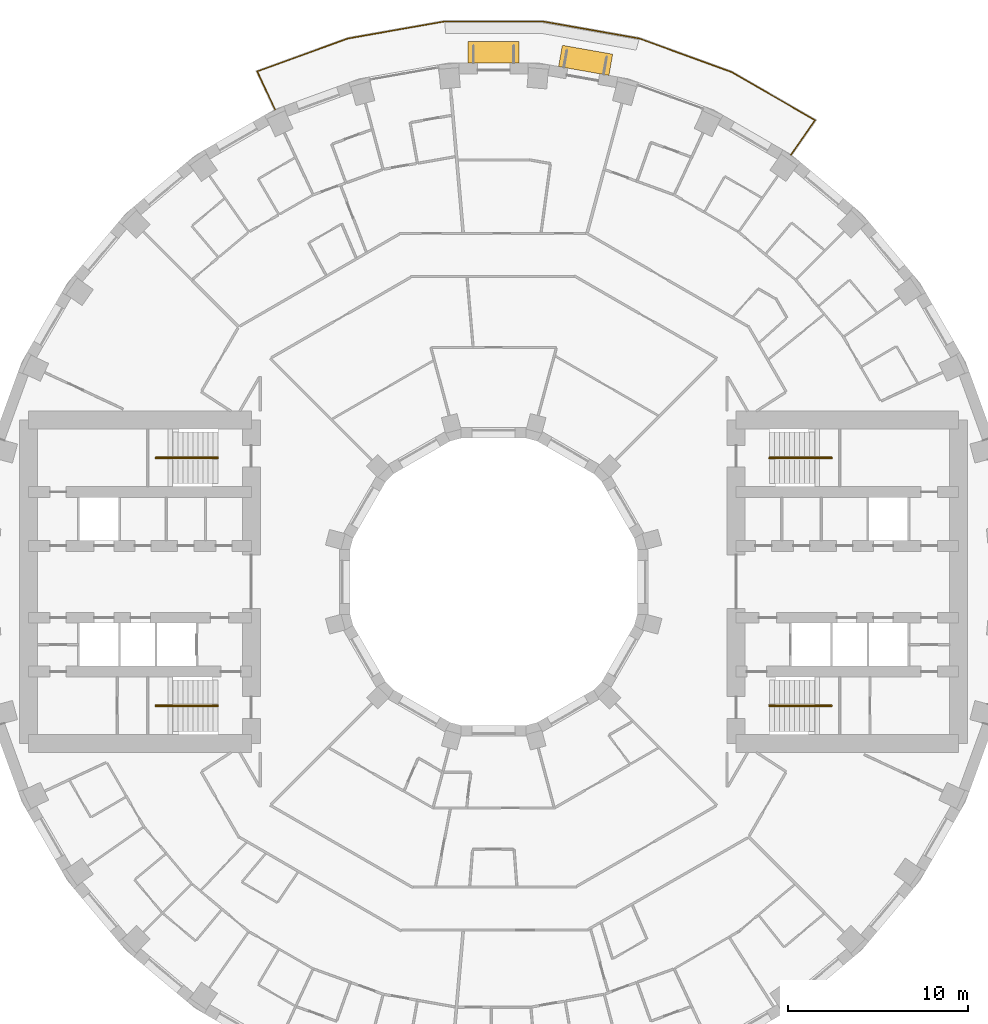
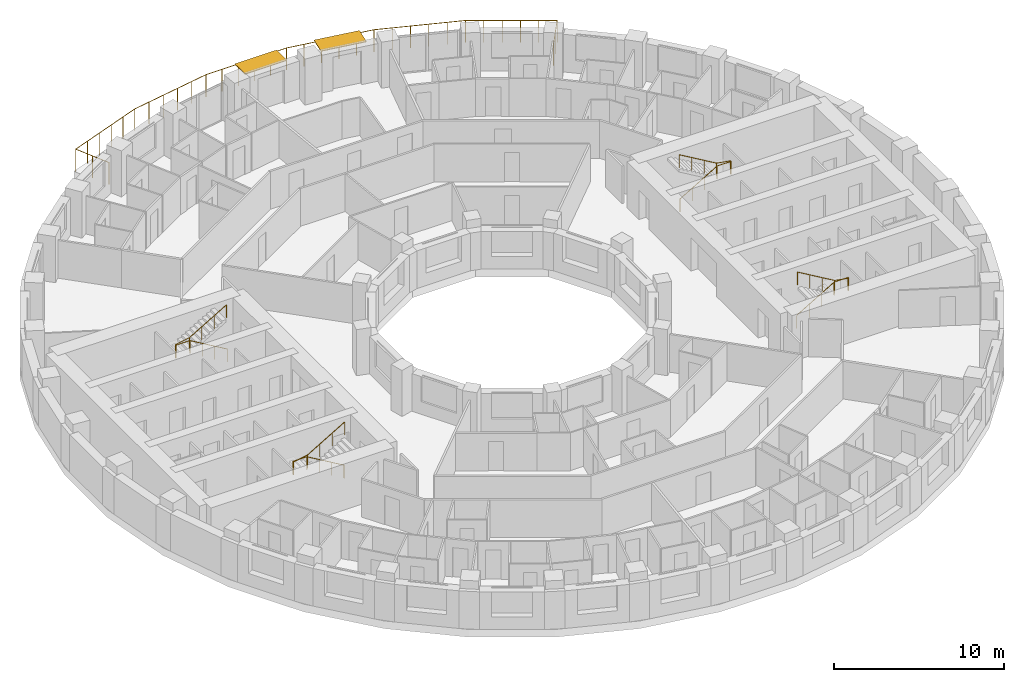
# One storey, part 15 of 15: 5 railings, 2 shading devices.
"""IFC4 building model written with IfcOpenShell, lengths in metres."""

from ifc_helpers import new_model, si_unit, direction, frame, origin, origin_2d, place, context, subcontext, project, spatial, rectangle, circle, extrude, material, layer, layer_set, type_object, element, save


model = new_model("IFC4")

# Units and contexts
model_context = context("Model", 3, precision=1e-05, world=origin(), true_north=direction((0.0, 1.0)))
body_context = subcontext(model_context, "Body", "Model", "MODEL_VIEW")
ifc_project = project(units=[si_unit("LENGTHUNIT", "METRE"), si_unit("AREAUNIT", "SQUARE_METRE"), si_unit("VOLUMEUNIT", "CUBIC_METRE"), si_unit("PLANEANGLEUNIT", "RADIAN"), si_unit("MASSUNIT", "GRAM", prefix="KILO")], contexts=[model_context])

# Site, building, storey
site_placement = place(None, origin())
site = spatial("IfcSite", under=ifc_project, at=site_placement, CompositionType="ELEMENT")
building_placement = place(site_placement, origin())
building = spatial("IfcBuilding", under=site, at=building_placement, Name="Saqina Gate Tower", CompositionType="ELEMENT")
storey_placement = place(building_placement, frame((0.0, 0.0, 79.10009765625)))
storey = spatial("IfcBuildingStorey", under=building, at=storey_placement, Name="L22", CompositionType="ELEMENT", Elevation=79.10009765625)

# Shading devices
ifc_material_1 = material(Name="Aluminium and fabric awning", Category="aluminium")
ifc_layer = layer(ifc_material_1, 0.050048828125)
ifc_layer_set = layer_set([ifc_layer], Name="AW-TERRACE")
shading_device_type = type_object("IfcShadingDeviceType", Name="AW-TERRACE", PredefinedType="AWNING", material=ifc_layer_set)
for number, where, z_axis, x_axis, name in (
    (1, (5.120849609375, 29.04150390625, 2.52490234375), (0.0, 0.0, 1.0), (-0.984807753012, 0.173648177667, 0.0), "Terrace awning L22 facet 8"),
    (2, (0.0, 29.489501953125, 2.52490234375), (0.0, 0.0, 1.0), (-1.0, 0.0, 0.0), "Terrace awning L22 facet 9"),
):
    element("IfcShadingDevice", number, at=place(storey_placement, frame(where, z_axis=z_axis, x_axis=x_axis)), inside=storey, type_object=shading_device_type, Name=name, PredefinedType="AWNING", context=body_context, shape_type="SweptSolid", body=[
        extrude(rectangle(XDim=2.845703125, YDim=1.199951171875, at=origin_2d()), origin(), (0.0, 0.0, 1.0), 0.050048828125),
    ])

# Railings
ifc_material_2 = material(Name="Stainless steel", Category="steel")
railing_type_1 = type_object("IfcRailingType", Name="RL-TERRACE", PredefinedType="GUARDRAIL", material=ifc_material_2)
railing_1_placement = place(storey_placement, frame((16.53369140625, 23.752197265625, 0.0)))
element("IfcRailing", 3, at=railing_1_placement, inside=storey, type_object=railing_type_1, Name="Terrace guard L22", PredefinedType="GUARDRAIL", context=body_context, shape_type="SweptSolid", body=[
    extrude(circle(Radius=0.02392578125, at=origin_2d()), frame((0.0, 0.0, 1.576171875), z_axis=(0.573633803889, 0.819111872113, 0.0), x_axis=(-0.819111872113, 0.573633803889, 0.0)), (0.0, 0.0, 1.0), 2.388916015625),
    extrude(circle(Radius=0.02392578125, at=origin_2d()), frame((1.370361328125, 1.956787109375, 1.576171875), z_axis=(-0.866686651493, 0.49885293236, 0.0), x_axis=(-0.49885293236, -0.866686651493, 0.0)), (0.0, 0.0, 1.0), 5.381591796875),
    extrude(circle(Radius=0.02392578125, at=origin_2d()), frame((-3.293701171875, 4.641357421875, 1.576171875), z_axis=(-0.939682423935, 0.342048157644, 0.0), x_axis=(-0.342048157644, -0.939682423935, 0.0)), (0.0, 0.0, 1.0), 5.4609375),
    extrude(circle(Radius=0.02392578125, at=origin_2d()), frame((-8.42529296875, 6.50927734375, 1.576171875), z_axis=(-0.984808752483, 0.17364250929, 0.0), x_axis=(-0.17364250929, -0.984808752483, 0.0)), (0.0, 0.0, 1.0), 5.4609375),
    extrude(circle(Radius=0.02392578125, at=origin_2d()), frame((-13.80322265625, 7.45751953125, 1.576171875), z_axis=(-1.0, 0.0, 0.0), x_axis=(0.0, -1.0, 0.0)), (0.0, 0.0, 1.0), 5.4609375),
    extrude(circle(Radius=0.02392578125, at=origin_2d()), frame((-19.26416015625, 7.45751953125, 1.576171875), z_axis=(-0.984808752483, -0.17364250929, 0.0), x_axis=(0.17364250929, -0.984808752483, 0.0)), (0.0, 0.0, 1.0), 5.4609375),
    extrude(circle(Radius=0.02392578125, at=origin_2d()), frame((-24.64208984375, 6.50927734375, 1.576171875), z_axis=(-0.940132067682, -0.340810350952, 0.0), x_axis=(0.340810350952, -0.940132067682, 0.0)), (0.0, 0.0, 1.0), 5.38134765625),
    extrude(circle(Radius=0.02392578125, at=origin_2d()), frame((-29.701171875, 4.67529296875, 1.576171875), z_axis=(0.422516148785, -0.906355396087, 0.0), x_axis=(0.906355396087, 0.422516148785, 0.0)), (0.0, 0.0, 1.0), 2.388671875),
    extrude(circle(Radius=0.02099609375, at=origin_2d()), origin(), (0.0, 0.0, 1.0), 1.552001953125),
    extrude(circle(Radius=0.02099609375, at=origin_2d()), frame((0.68505859375, 0.978515625, 0.0)), (0.0, 0.0, 1.0), 1.552001953125),
    extrude(circle(Radius=0.02099609375, at=origin_2d()), frame((1.370361328125, 1.956787109375, 0.0)), (0.0, 0.0, 1.0), 1.552001953125),
    extrude(circle(Radius=0.02099609375, at=origin_2d()), frame((0.4375, 2.49365234375, 0.0)), (0.0, 0.0, 1.0), 1.552001953125),
    extrude(circle(Radius=0.02099609375, at=origin_2d()), frame((-0.495361328125, 3.030517578125, 0.0)), (0.0, 0.0, 1.0), 1.552001953125),
    extrude(circle(Radius=0.02099609375, at=origin_2d()), frame((-1.427978515625, 3.567626953125, 0.0)), (0.0, 0.0, 1.0), 1.552001953125),
    extrude(circle(Radius=0.02099609375, at=origin_2d()), frame((-2.36083984375, 4.1044921875, 0.0)), (0.0, 0.0, 1.0), 1.552001953125),
    extrude(circle(Radius=0.02099609375, at=origin_2d()), frame((-3.293701171875, 4.641357421875, 0.0)), (0.0, 0.0, 1.0), 1.552001953125),
    extrude(circle(Radius=0.02099609375, at=origin_2d()), frame((-4.320068359375, 5.014892578125, 0.0)), (0.0, 0.0, 1.0), 1.552001953125),
    extrude(circle(Radius=0.02099609375, at=origin_2d()), frame((-5.346435546875, 5.388427734375, 0.0)), (0.0, 0.0, 1.0), 1.552001953125),
    extrude(circle(Radius=0.02099609375, at=origin_2d()), frame((-6.37255859375, 5.76220703125, 0.0)), (0.0, 0.0, 1.0), 1.552001953125),
    extrude(circle(Radius=0.02099609375, at=origin_2d()), frame((-7.39892578125, 6.1357421875, 0.0)), (0.0, 0.0, 1.0), 1.552001953125),
    extrude(circle(Radius=0.02099609375, at=origin_2d()), frame((-8.42529296875, 6.50927734375, 0.0)), (0.0, 0.0, 1.0), 1.552001953125),
    extrude(circle(Radius=0.02099609375, at=origin_2d()), frame((-9.5009765625, 6.698974609375, 0.0)), (0.0, 0.0, 1.0), 1.552001953125),
    extrude(circle(Radius=0.02099609375, at=origin_2d()), frame((-10.576416015625, 6.888671875, 0.0)), (0.0, 0.0, 1.0), 1.552001953125),
    extrude(circle(Radius=0.02099609375, at=origin_2d()), frame((-11.652099609375, 7.078125, 0.0)), (0.0, 0.0, 1.0), 1.552001953125),
    extrude(circle(Radius=0.02099609375, at=origin_2d()), frame((-12.7275390625, 7.267822265625, 0.0)), (0.0, 0.0, 1.0), 1.552001953125),
    extrude(circle(Radius=0.02099609375, at=origin_2d()), frame((-13.80322265625, 7.45751953125, 0.0)), (0.0, 0.0, 1.0), 1.552001953125),
    extrude(circle(Radius=0.02099609375, at=origin_2d()), frame((-14.8955078125, 7.45751953125, 0.0)), (0.0, 0.0, 1.0), 1.552001953125),
    extrude(circle(Radius=0.02099609375, at=origin_2d()), frame((-15.987548828125, 7.45751953125, 0.0)), (0.0, 0.0, 1.0), 1.552001953125),
    extrude(circle(Radius=0.02099609375, at=origin_2d()), frame((-17.079833984375, 7.45751953125, 0.0)), (0.0, 0.0, 1.0), 1.552001953125),
    extrude(circle(Radius=0.02099609375, at=origin_2d()), frame((-18.171875, 7.45751953125, 0.0)), (0.0, 0.0, 1.0), 1.552001953125),
    extrude(circle(Radius=0.02099609375, at=origin_2d()), frame((-19.26416015625, 7.45751953125, 0.0)), (0.0, 0.0, 1.0), 1.552001953125),
    extrude(circle(Radius=0.02099609375, at=origin_2d()), frame((-20.33984375, 7.267822265625, 0.0)), (0.0, 0.0, 1.0), 1.552001953125),
    extrude(circle(Radius=0.02099609375, at=origin_2d()), frame((-21.415283203125, 7.078125, 0.0)), (0.0, 0.0, 1.0), 1.552001953125),
    extrude(circle(Radius=0.02099609375, at=origin_2d()), frame((-22.490966796875, 6.888671875, 0.0)), (0.0, 0.0, 1.0), 1.552001953125),
    extrude(circle(Radius=0.02099609375, at=origin_2d()), frame((-23.56640625, 6.698974609375, 0.0)), (0.0, 0.0, 1.0), 1.552001953125),
    extrude(circle(Radius=0.02099609375, at=origin_2d()), frame((-24.64208984375, 6.50927734375, 0.0)), (0.0, 0.0, 1.0), 1.552001953125),
    extrude(circle(Radius=0.02099609375, at=origin_2d()), frame((-25.65380859375, 6.142578125, 0.0)), (0.0, 0.0, 1.0), 1.552001953125),
    extrude(circle(Radius=0.02099609375, at=origin_2d()), frame((-26.665771484375, 5.775634765625, 0.0)), (0.0, 0.0, 1.0), 1.552001953125),
    extrude(circle(Radius=0.02099609375, at=origin_2d()), frame((-27.677490234375, 5.408935546875, 0.0)), (0.0, 0.0, 1.0), 1.552001953125),
    extrude(circle(Radius=0.02099609375, at=origin_2d()), frame((-28.689453125, 5.0419921875, 0.0)), (0.0, 0.0, 1.0), 1.552001953125),
    extrude(circle(Radius=0.02099609375, at=origin_2d()), frame((-29.701171875, 4.67529296875, 0.0)), (0.0, 0.0, 1.0), 1.552001953125),
    extrude(circle(Radius=0.02099609375, at=origin_2d()), frame((-29.196533203125, 3.5927734375, 0.0)), (0.0, 0.0, 1.0), 1.552001953125),
    extrude(circle(Radius=0.02099609375, at=origin_2d()), frame((-28.69189453125, 2.51025390625, 0.0)), (0.0, 0.0, 1.0), 1.552001953125),
])
ifc_material_3 = material(Name="Stainless steel", Category="steel")
railing_type_2 = type_object("IfcRailingType", Name="STAIR HANDRAIL", PredefinedType="HANDRAIL", material=ifc_material_3)
railing_2_placement = place(storey_placement, frame((15.35009765625, 6.86669921875, 0.164794921875)))
element("IfcRailing", 4, at=railing_2_placement, inside=storey, type_object=railing_type_2, Name="EXIT STAIR 1 HANDRAIL", PredefinedType="HANDRAIL", context=body_context, shape_type="SweptSolid", body=[
    extrude(circle(Radius=0.02392578125, at=origin_2d()), frame((0.0, 0.0, 0.92578125), z_axis=(0.86152411907, 0.0, 0.507716645641), x_axis=(0.0, 1.0, 0.0)), (0.0, 0.0, 1.0), 2.925048828125),
    extrude(circle(Radius=0.02392578125, at=origin_2d()), frame((2.52001953125, 0.0, 2.4111328125), z_axis=(1.0, 0.0, 0.0), x_axis=(0.0, 1.0, 0.0)), (0.0, 0.0, 1.0), 0.949951171875),
    extrude(circle(Radius=0.02392578125, at=origin_2d()), frame((3.469970703125, 0.0, 2.4111328125), z_axis=(0.0, 1.0, 0.0), x_axis=(-1.0, 0.0, 0.0)), (0.0, 0.0, 1.0), 0.066650390625),
    extrude(circle(Radius=0.02392578125, at=origin_2d()), frame((3.469970703125, 0.066650390625, 2.4111328125), z_axis=(-0.985241474778, 0.0, 0.171170197109), x_axis=(0.0, -1.0, 0.0)), (0.0, 0.0, 1.0), 0.964111328125),
    extrude(circle(Radius=0.02392578125, at=origin_2d()), frame((2.52001953125, 0.066650390625, 2.576171875), z_axis=(-0.861560626758, 0.0, 0.507654692109), x_axis=(0.0, -1.0, 0.0)), (0.0, 0.0, 1.0), 2.925048828125),
    extrude(circle(Radius=0.02099609375, at=origin_2d()), origin(), (0.0, 0.0, 1.0), 0.90185546875),
    extrude(circle(Radius=0.02099609375, at=origin_2d()), frame((0.840087890625, 0.0, 0.4951171875)), (0.0, 0.0, 1.0), 0.90185546875),
    extrude(circle(Radius=0.02099609375, at=origin_2d()), frame((1.679931640625, 0.0, 0.989990234375)), (0.0, 0.0, 1.0), 0.90185546875),
    extrude(circle(Radius=0.02099609375, at=origin_2d()), frame((2.52001953125, 0.0, 1.485107421875)), (0.0, 0.0, 1.0), 0.90185546875),
    extrude(circle(Radius=0.02099609375, at=origin_2d()), frame((3.469970703125, 0.0, 1.485107421875)), (0.0, 0.0, 1.0), 0.90185546875),
    extrude(circle(Radius=0.02099609375, at=origin_2d()), frame((3.469970703125, 0.066650390625, 1.485107421875)), (0.0, 0.0, 1.0), 0.90185546875),
    extrude(circle(Radius=0.02099609375, at=origin_2d()), frame((2.52001953125, 0.066650390625, 1.650146484375)), (0.0, 0.0, 1.0), 0.90185546875),
    extrude(circle(Radius=0.02099609375, at=origin_2d()), frame((1.679931640625, 0.066650390625, 2.14501953125)), (0.0, 0.0, 1.0), 0.90185546875),
    extrude(circle(Radius=0.02099609375, at=origin_2d()), frame((0.840087890625, 0.066650390625, 2.64013671875)), (0.0, 0.0, 1.0), 0.90185546875),
    extrude(circle(Radius=0.02099609375, at=origin_2d()), frame((0.0, 0.066650390625, 3.135009765625)), (0.0, 0.0, 1.0), 0.90185546875),
])
railing_3_placement = place(storey_placement, frame((15.35009765625, -6.86669921875, 0.164794921875)))
element("IfcRailing", 5, at=railing_3_placement, inside=storey, type_object=railing_type_2, Name="EXIT STAIR 2 HANDRAIL", PredefinedType="HANDRAIL", context=body_context, shape_type="SweptSolid", body=[
    extrude(circle(Radius=0.02392578125, at=origin_2d()), frame((0.0, 0.0, 0.92578125), z_axis=(0.86152411907, 0.0, 0.507716645641), x_axis=(0.0, 1.0, 0.0)), (0.0, 0.0, 1.0), 2.925048828125),
    extrude(circle(Radius=0.02392578125, at=origin_2d()), frame((2.52001953125, 0.0, 2.4111328125), z_axis=(1.0, 0.0, 0.0), x_axis=(0.0, 1.0, 0.0)), (0.0, 0.0, 1.0), 0.949951171875),
    extrude(circle(Radius=0.02392578125, at=origin_2d()), frame((3.469970703125, 0.0, 2.4111328125), z_axis=(0.0, -1.0, 0.0), x_axis=(1.0, 0.0, 0.0)), (0.0, 0.0, 1.0), 0.066650390625),
    extrude(circle(Radius=0.02392578125, at=origin_2d()), frame((3.469970703125, -0.066650390625, 2.4111328125), z_axis=(-0.985241474778, 0.0, 0.171170197109), x_axis=(0.0, -1.0, 0.0)), (0.0, 0.0, 1.0), 0.964111328125),
    extrude(circle(Radius=0.02392578125, at=origin_2d()), frame((2.52001953125, -0.066650390625, 2.576171875), z_axis=(-0.861560626758, 0.0, 0.507654692109), x_axis=(0.0, -1.0, 0.0)), (0.0, 0.0, 1.0), 2.925048828125),
    extrude(circle(Radius=0.02099609375, at=origin_2d()), origin(), (0.0, 0.0, 1.0), 0.90185546875),
    extrude(circle(Radius=0.02099609375, at=origin_2d()), frame((0.840087890625, 0.0, 0.4951171875)), (0.0, 0.0, 1.0), 0.90185546875),
    extrude(circle(Radius=0.02099609375, at=origin_2d()), frame((1.679931640625, 0.0, 0.989990234375)), (0.0, 0.0, 1.0), 0.90185546875),
    extrude(circle(Radius=0.02099609375, at=origin_2d()), frame((2.52001953125, 0.0, 1.485107421875)), (0.0, 0.0, 1.0), 0.90185546875),
    extrude(circle(Radius=0.02099609375, at=origin_2d()), frame((3.469970703125, 0.0, 1.485107421875)), (0.0, 0.0, 1.0), 0.90185546875),
    extrude(circle(Radius=0.02099609375, at=origin_2d()), frame((3.469970703125, -0.066650390625, 1.485107421875)), (0.0, 0.0, 1.0), 0.90185546875),
    extrude(circle(Radius=0.02099609375, at=origin_2d()), frame((2.52001953125, -0.066650390625, 1.650146484375)), (0.0, 0.0, 1.0), 0.90185546875),
    extrude(circle(Radius=0.02099609375, at=origin_2d()), frame((1.679931640625, -0.066650390625, 2.14501953125)), (0.0, 0.0, 1.0), 0.90185546875),
    extrude(circle(Radius=0.02099609375, at=origin_2d()), frame((0.840087890625, -0.066650390625, 2.64013671875)), (0.0, 0.0, 1.0), 0.90185546875),
    extrude(circle(Radius=0.02099609375, at=origin_2d()), frame((0.0, -0.066650390625, 3.135009765625)), (0.0, 0.0, 1.0), 0.90185546875),
])
railing_4_placement = place(storey_placement, frame((-15.35009765625, 6.86669921875, 0.164794921875)))
element("IfcRailing", 6, at=railing_4_placement, inside=storey, type_object=railing_type_2, Name="EXIT STAIR 3 HANDRAIL", PredefinedType="HANDRAIL", context=body_context, shape_type="SweptSolid", body=[
    extrude(circle(Radius=0.02392578125, at=origin_2d()), frame((0.0, 0.0, 0.92578125), z_axis=(-0.86152411907, 0.0, 0.507716645641), x_axis=(0.0, -1.0, 0.0)), (0.0, 0.0, 1.0), 2.925048828125),
    extrude(circle(Radius=0.02392578125, at=origin_2d()), frame((-2.52001953125, 0.0, 2.4111328125), z_axis=(-1.0, 0.0, 0.0), x_axis=(0.0, -1.0, 0.0)), (0.0, 0.0, 1.0), 0.949951171875),
    extrude(circle(Radius=0.02392578125, at=origin_2d()), frame((-3.469970703125, 0.0, 2.4111328125), z_axis=(0.0, 1.0, 0.0), x_axis=(-1.0, 0.0, 0.0)), (0.0, 0.0, 1.0), 0.066650390625),
    extrude(circle(Radius=0.02392578125, at=origin_2d()), frame((-3.469970703125, 0.066650390625, 2.4111328125), z_axis=(0.985241474778, 0.0, 0.171170197109), x_axis=(0.0, 1.0, 0.0)), (0.0, 0.0, 1.0), 0.964111328125),
    extrude(circle(Radius=0.02392578125, at=origin_2d()), frame((-2.52001953125, 0.066650390625, 2.576171875), z_axis=(0.861560626758, 0.0, 0.507654692109), x_axis=(0.0, 1.0, 0.0)), (0.0, 0.0, 1.0), 2.925048828125),
    extrude(circle(Radius=0.02099609375, at=origin_2d()), origin(), (0.0, 0.0, 1.0), 0.90185546875),
    extrude(circle(Radius=0.02099609375, at=origin_2d()), frame((-0.840087890625, 0.0, 0.4951171875)), (0.0, 0.0, 1.0), 0.90185546875),
    extrude(circle(Radius=0.02099609375, at=origin_2d()), frame((-1.679931640625, 0.0, 0.989990234375)), (0.0, 0.0, 1.0), 0.90185546875),
    extrude(circle(Radius=0.02099609375, at=origin_2d()), frame((-2.52001953125, 0.0, 1.485107421875)), (0.0, 0.0, 1.0), 0.90185546875),
    extrude(circle(Radius=0.02099609375, at=origin_2d()), frame((-3.469970703125, 0.0, 1.485107421875)), (0.0, 0.0, 1.0), 0.90185546875),
    extrude(circle(Radius=0.02099609375, at=origin_2d()), frame((-3.469970703125, 0.066650390625, 1.485107421875)), (0.0, 0.0, 1.0), 0.90185546875),
    extrude(circle(Radius=0.02099609375, at=origin_2d()), frame((-2.52001953125, 0.066650390625, 1.650146484375)), (0.0, 0.0, 1.0), 0.90185546875),
    extrude(circle(Radius=0.02099609375, at=origin_2d()), frame((-1.679931640625, 0.066650390625, 2.14501953125)), (0.0, 0.0, 1.0), 0.90185546875),
    extrude(circle(Radius=0.02099609375, at=origin_2d()), frame((-0.840087890625, 0.066650390625, 2.64013671875)), (0.0, 0.0, 1.0), 0.90185546875),
    extrude(circle(Radius=0.02099609375, at=origin_2d()), frame((0.0, 0.066650390625, 3.135009765625)), (0.0, 0.0, 1.0), 0.90185546875),
])
railing_5_placement = place(storey_placement, frame((-15.35009765625, -6.86669921875, 0.164794921875)))
element("IfcRailing", 7, at=railing_5_placement, inside=storey, type_object=railing_type_2, Name="EXIT STAIR 4 HANDRAIL", PredefinedType="HANDRAIL", context=body_context, shape_type="SweptSolid", body=[
    extrude(circle(Radius=0.02392578125, at=origin_2d()), frame((0.0, 0.0, 0.92578125), z_axis=(-0.86152411907, 0.0, 0.507716645641), x_axis=(0.0, -1.0, 0.0)), (0.0, 0.0, 1.0), 2.925048828125),
    extrude(circle(Radius=0.02392578125, at=origin_2d()), frame((-2.52001953125, 0.0, 2.4111328125), z_axis=(-1.0, 0.0, 0.0), x_axis=(0.0, -1.0, 0.0)), (0.0, 0.0, 1.0), 0.949951171875),
    extrude(circle(Radius=0.02392578125, at=origin_2d()), frame((-3.469970703125, 0.0, 2.4111328125), z_axis=(0.0, -1.0, 0.0), x_axis=(1.0, 0.0, 0.0)), (0.0, 0.0, 1.0), 0.066650390625),
    extrude(circle(Radius=0.02392578125, at=origin_2d()), frame((-3.469970703125, -0.066650390625, 2.4111328125), z_axis=(0.985241474778, 0.0, 0.171170197109), x_axis=(0.0, 1.0, 0.0)), (0.0, 0.0, 1.0), 0.964111328125),
    extrude(circle(Radius=0.02392578125, at=origin_2d()), frame((-2.52001953125, -0.066650390625, 2.576171875), z_axis=(0.861560626758, 0.0, 0.507654692109), x_axis=(0.0, 1.0, 0.0)), (0.0, 0.0, 1.0), 2.925048828125),
    extrude(circle(Radius=0.02099609375, at=origin_2d()), origin(), (0.0, 0.0, 1.0), 0.90185546875),
    extrude(circle(Radius=0.02099609375, at=origin_2d()), frame((-0.840087890625, 0.0, 0.4951171875)), (0.0, 0.0, 1.0), 0.90185546875),
    extrude(circle(Radius=0.02099609375, at=origin_2d()), frame((-1.679931640625, 0.0, 0.989990234375)), (0.0, 0.0, 1.0), 0.90185546875),
    extrude(circle(Radius=0.02099609375, at=origin_2d()), frame((-2.52001953125, 0.0, 1.485107421875)), (0.0, 0.0, 1.0), 0.90185546875),
    extrude(circle(Radius=0.02099609375, at=origin_2d()), frame((-3.469970703125, 0.0, 1.485107421875)), (0.0, 0.0, 1.0), 0.90185546875),
    extrude(circle(Radius=0.02099609375, at=origin_2d()), frame((-3.469970703125, -0.066650390625, 1.485107421875)), (0.0, 0.0, 1.0), 0.90185546875),
    extrude(circle(Radius=0.02099609375, at=origin_2d()), frame((-2.52001953125, -0.066650390625, 1.650146484375)), (0.0, 0.0, 1.0), 0.90185546875),
    extrude(circle(Radius=0.02099609375, at=origin_2d()), frame((-1.679931640625, -0.066650390625, 2.14501953125)), (0.0, 0.0, 1.0), 0.90185546875),
    extrude(circle(Radius=0.02099609375, at=origin_2d()), frame((-0.840087890625, -0.066650390625, 2.64013671875)), (0.0, 0.0, 1.0), 0.90185546875),
    extrude(circle(Radius=0.02099609375, at=origin_2d()), frame((0.0, -0.066650390625, 3.135009765625)), (0.0, 0.0, 1.0), 0.90185546875),
])

save(model, "model.ifc")
